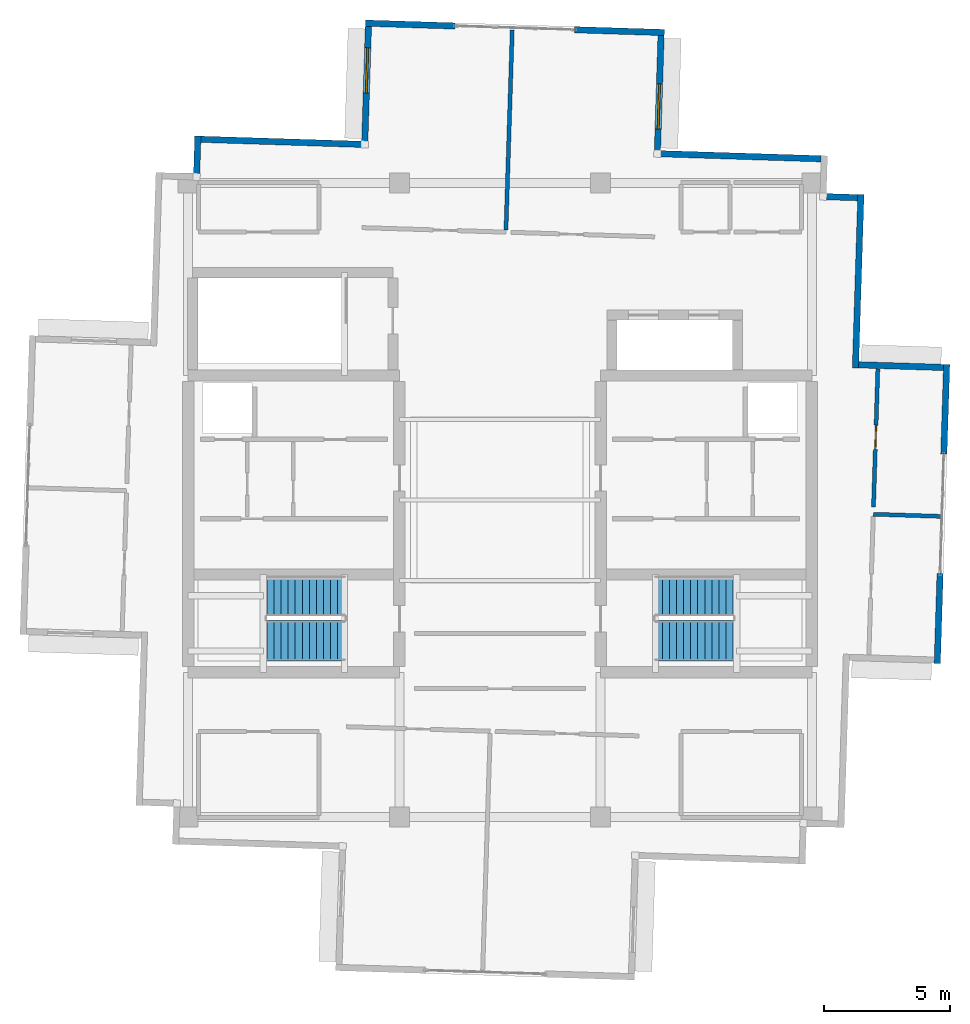
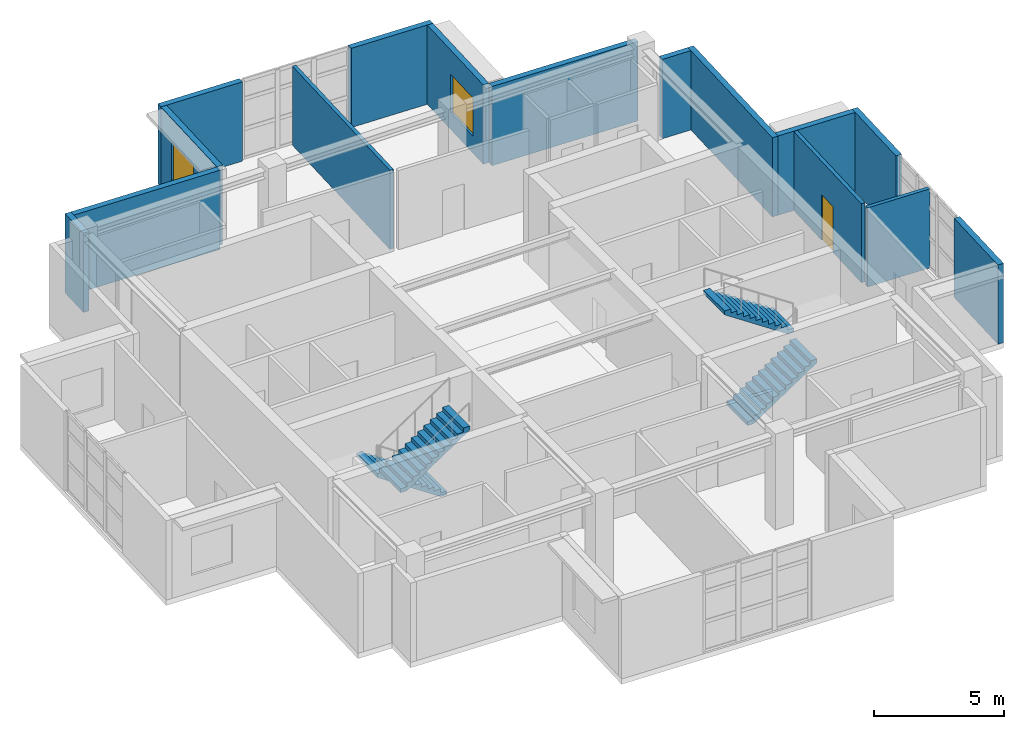
# One storey, part 12 of 14: 15 walls, 4 stair flights, 2 windows, 1 door, 3 openings, 2 elements without a shape of their own.
"""IFC4 building model written with IfcOpenShell, lengths in metres."""

from ifc_helpers import new_model, si_unit, direction, frame, frame_2d, origin, place, context, subcontext, project, spatial, polyline, rectangle, outline, extrude, material, layer, layer_set, type_object, element, fill, aggregate, save


model = new_model("IFC4")

# Units and contexts
model_context = context("Model", 3, precision=1e-05, world=origin(), true_north=direction((0.0, 1.0)))
body_context = subcontext(model_context, "Body", "Model", "MODEL_VIEW")
ifc_project = project(units=[si_unit("LENGTHUNIT", "METRE"), si_unit("AREAUNIT", "SQUARE_METRE"), si_unit("VOLUMEUNIT", "CUBIC_METRE"), si_unit("PLANEANGLEUNIT", "RADIAN"), si_unit("MASSUNIT", "GRAM", prefix="KILO")], contexts=[model_context])

# Site, building, storey
site_placement = place(None, origin())
site = spatial("IfcSite", under=ifc_project, at=site_placement, CompositionType="ELEMENT")
building_placement = place(site_placement, origin())
building = spatial("IfcBuilding", under=site, at=building_placement, Name="Qingluan Cross Belvedere", CompositionType="ELEMENT")
storey_placement = place(building_placement, frame((0.0, 0.0, 317.39990234375)))
storey = spatial("IfcBuildingStorey", under=building, at=storey_placement, Name="L78", CompositionType="ELEMENT", Elevation=317.39990234375)

# Walls
ifc_material_1 = material(Name="Gypsum plasterboard on steel stud acoustic partition", Category="steel")
ifc_layer_1 = layer(ifc_material_1, 0.159912109375, Name="CorridorPartition_160")
ifc_layer_set_1 = layer_set([ifc_layer_1], Name="Gypsum plasterboard on steel stud acoustic partition")
wall_type_1 = type_object("IfcWallType", Name="CorridorPartition_160", PredefinedType="PARTITIONING", material=ifc_layer_set_1)
wall_1_placement = place(storey_placement, frame((0.2373046875, 10.73291015625, 0.0), z_axis=(0.0, 0.0, 1.0), x_axis=(0.031407107994, 0.999506675099, 0.0)))
element("IfcWall", 1, at=wall_1_placement, inside=storey, type_object=wall_type_1, Name="Partition L78:obs_n1:E", PredefinedType="PARTITIONING", context=body_context, shape_type="SweptSolid", body=[
    extrude(rectangle(XDim=7.9599609375, YDim=0.159912109375, at=frame_2d((3.97998046875, 0.0))), origin(), (0.0, 0.0, 1.0), 3.72021484375),
])
wall_2_placement = place(storey_placement, frame((14.839599609375, -0.56640625, 0.0), z_axis=(0.0, 0.0, 1.0), x_axis=(0.999507177743, -0.031391107676, 0.0)))
element("IfcWall", 2, at=wall_2_placement, inside=storey, type_object=wall_type_1, Name="Partition L78:obs_e1:N", PredefinedType="PARTITIONING", context=body_context, shape_type="SweptSolid", body=[
    extrude(rectangle(XDim=2.72998046875, YDim=0.159912109375, at=frame_2d((1.364990234375, 0.0))), origin(), (0.0, 0.0, 1.0), 3.72021484375),
])

# Wall, opening, door
wall_3_placement = place(storey_placement, frame((14.848388671875, -0.281494140625, 0.0), z_axis=(0.0, 0.0, 1.0), x_axis=(0.031416227439, 0.999506388501, 0.0)))
wall_3 = element("IfcWall", 3, at=wall_3_placement, inside=storey, type_object=wall_type_1, Name="Partition L78:obs_e2:W", PredefinedType="PARTITIONING", context=body_context, shape_type="SweptSolid", body=[
    extrude(rectangle(XDim=5.501953125, YDim=0.159912109375, at=frame_2d((2.7509765625, 0.0))), origin(), (0.0, 0.0, 1.0), 3.72021484375),
])
opening_1_placement = place(wall_3_placement, frame((2.294921875, 0.0, 0.0)))
opening_1 = element("IfcOpeningElement", 4, at=opening_1_placement, cuts=wall_3, Name="Opening GD-10", PredefinedType="OPENING", context=body_context, shape_type="SweptSolid", body=[
    extrude(rectangle(XDim=0.9599609375, YDim=2.14990234375, at=frame_2d((0.47998046875, 1.074951171875))), frame((0.0, 0.08984375, 0.0), z_axis=(0.0, -1.0, 0.0), x_axis=(1.0, 0.0, 0.0)), (0.0, 0.0, 1.0), 0.179931640625),
])
ifc_material_2 = material(Name="Timber oak fire-rated acoustic guestroom door", Category="wood")
door_type = type_object("IfcDoorType", Name="GuestEntryDoor_FD60", OperationType="NOTDEFINED", PredefinedType="DOOR", material=ifc_material_2)
door_placement = place(opening_1_placement, origin())
door = element("IfcDoor", 5, at=door_placement, inside=storey, type_object=door_type, Name="Observation gift gallery L78 door", OperationType="SINGLE_SWING_LEFT", OverallHeight=2.14990234375, OverallWidth=0.9599609375, PredefinedType="DOOR", context=body_context, shape_type="SweptSolid", body=[
    extrude(rectangle(XDim=0.9599609375, YDim=2.14990234375, at=frame_2d((0.47998046875, 1.074951171875))), frame((0.0, 0.02490234375, 0.0), z_axis=(0.0, -1.0, 0.0), x_axis=(1.0, 0.0, 0.0)), (0.0, 0.0, 1.0), 0.050048828125),
])
fill(opening_1, door)

# Walls
ifc_material_3 = material(Name="Precast concrete C45", Category="concrete")
ifc_layer_2 = layer(ifc_material_3, 0.25, Name="PrecastCrownWall_250")
ifc_layer_set_2 = layer_set([ifc_layer_2], Name="Precast concrete C45")
wall_type_2 = type_object("IfcWallType", Name="PrecastCrownWall_250", PredefinedType="STANDARD", material=ifc_layer_set_2)
wall_4_placement = place(storey_placement, frame((17.629150390625, 5.268798828125, 0.0), z_axis=(0.0, 0.0, 1.0), x_axis=(-0.999505551692, 0.031442839188, 0.0)))
element("IfcWall", 6, at=wall_4_placement, inside=storey, type_object=wall_type_2, Name="Facade wall L78-EB", PredefinedType="STANDARD", context=body_context, shape_type="SweptSolid", body=[
    extrude(rectangle(XDim=3.369873046875, YDim=0.25, at=frame_2d((1.68505859375, 0.0))), origin(), (0.0, 0.0, 1.0), 3.72998046875),
])
wall_5_placement = place(storey_placement, frame((17.384521484375, -6.494384765625, 0.0), z_axis=(0.0, 0.0, 1.0), x_axis=(0.031414233162, 0.999506451182, 0.0)))
element("IfcWall", 7, at=wall_5_placement, inside=storey, type_object=wall_type_2, Name="Terrace portal jamb wall L78-E1", PredefinedType="STANDARD", context=body_context, shape_type="SweptSolid", body=[
    extrude(rectangle(XDim=3.567138671875, YDim=0.25, at=frame_2d((1.78369140625, 0.0))), origin(), (0.0, 0.0, 1.0), 3.72998046875),
])
wall_6_placement = place(storey_placement, frame((17.64599609375, 1.82470703125, 0.0), z_axis=(0.0, 0.0, 1.0), x_axis=(0.031416382256, 0.999506383634, 0.0)))
element("IfcWall", 8, at=wall_6_placement, inside=storey, type_object=wall_type_2, Name="Terrace portal jamb wall L78-E2", PredefinedType="STANDARD", context=body_context, shape_type="SweptSolid", body=[
    extrude(rectangle(XDim=3.56689453125, YDim=0.25, at=frame_2d((1.783447265625, 0.0))), origin(), (0.0, 0.0, 1.0), 3.72998046875),
])

# Wall, opening, window
wall_7_placement = place(storey_placement, frame((6.259521484375, 13.895263671875, 0.0), z_axis=(0.0, 0.0, 1.0), x_axis=(0.031413213541, 0.999506483228, 0.0)))
wall_7 = element("IfcWall", 9, at=wall_7_placement, inside=storey, type_object=wall_type_2, Name="Facade wall L78-NA", PredefinedType="STANDARD", context=body_context, shape_type="SweptSolid", body=[
    extrude(rectangle(XDim=4.56982421875, YDim=0.25, at=frame_2d((2.284912109375, 0.0))), origin(), (0.0, 0.0, 1.0), 3.72998046875),
])
opening_2_placement = place(wall_7_placement, frame((0.85009765625, 0.0, 0.800048828125)))
opening_2 = element("IfcOpeningElement", 10, at=opening_2_placement, cuts=wall_7, Name="Opening W-05", PredefinedType="OPENING", context=body_context, shape_type="SweptSolid", body=[
    extrude(rectangle(XDim=1.800048828125, YDim=1.800048828125, at=frame_2d((0.89990234375, 0.89990234375))), frame((0.0, 0.135009765625, 0.0), z_axis=(0.0, -1.0, 0.0), x_axis=(1.0, 0.0, 0.0)), (0.0, 0.0, 1.0), 0.27001953125),
])
ifc_material_4 = material(Name="Thermally broken triple Low-E glass in aluminium frame", Category="aluminium")
window_type = type_object("IfcWindowType", Name="CrownBelvedereWin_1800x1800", PartitioningType="SINGLE_PANEL", PredefinedType="WINDOW", material=ifc_material_4)
window_1_placement = place(opening_2_placement, origin())
window_1 = element("IfcWindow", 11, at=window_1_placement, inside=storey, type_object=window_type, Name="Ribbon window L78-NA-1", OverallHeight=1.800048828125, OverallWidth=1.800048828125, PartitioningType="SINGLE_PANEL", PredefinedType="WINDOW", context=body_context, shape_type="SweptSolid", body=[
    extrude(rectangle(XDim=1.800048828125, YDim=1.800048828125, at=frame_2d((0.89990234375, 0.89990234375))), frame((0.0, 0.030029296875, 0.0), z_axis=(0.0, -1.0, 0.0), x_axis=(1.0, 0.0, 0.0)), (0.0, 0.0, 1.0), 0.06005859375),
])
fill(opening_2, window_1)

wall_8_placement = place(storey_placement, frame((-5.231201171875, 18.82861328125, 0.0), z_axis=(0.0, 0.0, 1.0), x_axis=(-0.031413213541, -0.999506483228, 0.0)))
wall_8 = element("IfcWall", 12, at=wall_8_placement, inside=storey, type_object=wall_type_2, Name="Facade wall L78-NB", PredefinedType="STANDARD", context=body_context, shape_type="SweptSolid", body=[
    extrude(rectangle(XDim=4.56982421875, YDim=0.25, at=frame_2d((2.284912109375, 0.0))), origin(), (0.0, 0.0, 1.0), 3.72998046875),
])
opening_3_placement = place(wall_8_placement, frame((0.85009765625, 0.0, 0.800048828125)))
opening_3 = element("IfcOpeningElement", 13, at=opening_3_placement, cuts=wall_8, Name="Opening W-05", PredefinedType="OPENING", context=body_context, shape_type="SweptSolid", body=[
    extrude(rectangle(XDim=1.800048828125, YDim=1.800048828125, at=frame_2d((0.89990234375, 0.89990234375))), frame((0.0, 0.135009765625, 0.0), z_axis=(0.0, -1.0, 0.0), x_axis=(1.0, 0.0, 0.0)), (0.0, 0.0, 1.0), 0.27001953125),
])
window_2_placement = place(opening_3_placement, origin())
window_2 = element("IfcWindow", 14, at=window_2_placement, inside=storey, type_object=window_type, Name="Ribbon window L78-NB-1", OverallHeight=1.800048828125, OverallWidth=1.800048828125, PartitioningType="SINGLE_PANEL", PredefinedType="WINDOW", context=body_context, shape_type="SweptSolid", body=[
    extrude(rectangle(XDim=1.800048828125, YDim=1.800048828125, at=frame_2d((0.89990234375, 0.89990234375))), frame((0.0, 0.030029296875, 0.0), z_axis=(0.0, -1.0, 0.0), x_axis=(1.0, 0.0, 0.0)), (0.0, 0.0, 1.0), 0.06005859375),
])
fill(opening_3, window_2)

# Walls
wall_9_placement = place(storey_placement, frame((6.531982421875, 18.583984375, 0.0), z_axis=(0.0, 0.0, 1.0), x_axis=(-0.999506383634, 0.031416382256, 0.0)))
element("IfcWall", 15, at=wall_9_placement, inside=storey, type_object=wall_type_2, Name="Terrace portal jamb wall L78-N1", PredefinedType="STANDARD", context=body_context, shape_type="SweptSolid", body=[
    extrude(rectangle(XDim=3.56689453125, YDim=0.25, at=frame_2d((1.783447265625, 0.0))), origin(), (0.0, 0.0, 1.0), 3.72998046875),
])
wall_10_placement = place(storey_placement, frame((-1.786865234375, 18.845458984375, 0.0), z_axis=(0.0, 0.0, 1.0), x_axis=(-0.999506451182, 0.031414233162, 0.0)))
element("IfcWall", 16, at=wall_10_placement, inside=storey, type_object=wall_type_2, Name="Terrace portal jamb wall L78-N2", PredefinedType="STANDARD", context=body_context, shape_type="SweptSolid", body=[
    extrude(rectangle(XDim=3.567138671875, YDim=0.25, at=frame_2d((1.78369140625, 0.0))), origin(), (0.0, 0.0, 1.0), 3.72998046875),
])
wall_11_placement = place(storey_placement, frame((14.132080078125, 5.253662109375, 0.0), z_axis=(0.0, 0.0, 1.0), x_axis=(0.031394046997, 0.999507085424, 0.0)))
element("IfcWall", 17, at=wall_11_placement, inside=storey, type_object=wall_type_2, Name="Corner wall L78-NE1", PredefinedType="STANDARD", context=body_context, shape_type="SweptSolid", body=[
    extrude(rectangle(XDim=6.89013671875, YDim=0.25, at=frame_2d((3.445068359375, 0.0))), origin(), (0.0, 0.0, 1.0), 3.72998046875),
])
wall_12_placement = place(storey_placement, frame((14.219482421875, 12.019287109375, 0.0), z_axis=(0.0, 0.0, 1.0), x_axis=(-0.999505383482, 0.0314481858, 0.0)))
element("IfcWall", 18, at=wall_12_placement, inside=storey, type_object=wall_type_2, Name="Corner wall L78-NE2", PredefinedType="STANDARD", context=body_context, shape_type="SweptSolid", body=[
    extrude(rectangle(XDim=1.25, YDim=0.25, at=frame_2d((0.625, 0.0))), origin(), (0.0, 0.0, 1.0), 3.72998046875),
])
wall_13_placement = place(storey_placement, frame((12.767333984375, 13.565673828125, 0.0), z_axis=(0.0, 0.0, 1.0), x_axis=(-0.999506693648, 0.031406517667, 0.0)))
element("IfcWall", 19, at=wall_13_placement, inside=storey, type_object=wall_type_2, Name="Corner wall L78-NE4", PredefinedType="STANDARD", context=body_context, shape_type="SweptSolid", body=[
    extrude(rectangle(XDim=6.389892578125, YDim=0.25, at=frame_2d((3.19482421875, 0.0))), origin(), (0.0, 0.0, 1.0), 3.72998046875),
])
wall_14_placement = place(storey_placement, frame((-12.05859375, 12.97021484375, 0.0), z_axis=(0.0, 0.0, 1.0), x_axis=(0.031412596484, 0.999506502621, 0.0)))
element("IfcWall", 20, at=wall_14_placement, inside=storey, type_object=wall_type_2, Name="Corner wall L78-NW3", PredefinedType="STANDARD", context=body_context, shape_type="SweptSolid", body=[
    extrude(rectangle(XDim=1.5, YDim=0.25, at=frame_2d((0.75, 0.0))), origin(), (0.0, 0.0, 1.0), 3.72998046875),
])
wall_15_placement = place(storey_placement, frame((-11.890380859375, 14.340576171875, 0.0), z_axis=(0.0, 0.0, 1.0), x_axis=(0.999506693648, -0.031406517667, 0.0)))
element("IfcWall", 21, at=wall_15_placement, inside=storey, type_object=wall_type_2, Name="Corner wall L78-NW4", PredefinedType="STANDARD", context=body_context, shape_type="SweptSolid", body=[
    extrude(rectangle(XDim=6.389892578125, YDim=0.25, at=frame_2d((3.19482421875, 0.0))), origin(), (0.0, 0.0, 1.0), 3.72998046875),
])

# Stair, stair flights
ifc_material_5 = material(Name="Concrete C40", Category="concrete")
stair_type = type_object("IfcStairType", Name="CoreDoglegStair_1620", PredefinedType="HALF_TURN_STAIR", material=ifc_material_5)
stair_1_placement = place(storey_placement, origin())
stair_1 = element("IfcStair", 22, at=stair_1_placement, inside=storey, type_object=stair_type, Name="L78 ST1", PredefinedType="HALF_TURN_STAIR")
ifc_material_6 = material(Name="Concrete C40", Category="concrete")
ifc_layer_3 = layer(ifc_material_6, 0.179931640625, Name="StairFlight_RC180")
ifc_layer_set_3 = layer_set([ifc_layer_3], Name="Concrete C40")
stair_flight_type = type_object("IfcStairFlightType", Name="StairFlight_RC180", PredefinedType="STRAIGHT", material=ifc_layer_set_3)
stair_flight_1_placement = place(storey_placement, frame((-6.179931640625, -3.81005859375, 0.0), z_axis=(0.0, 0.0, 1.0), x_axis=(-1.0, 0.0, 0.0)))
stair_flight_1 = element("IfcStairFlight", 23, at=stair_flight_1_placement, type_object=stair_flight_type, Name="ST1 flight 1", NumberOfRisers=12, NumberOfTreads=11, PredefinedType="STRAIGHT", RiserHeight=0.1875, TreadLength=0.28, context=body_context, shape_type="SweptSolid", body=[
    extrude(outline(polyline([(0.0, 0.0), (0.0, 0.1875), (0.280029296875, 0.1875), (0.280029296875, 0.375), (0.56005859375, 0.375), (0.56005859375, 0.5625), (0.840087890625, 0.5625), (0.840087890625, 0.75), (1.1201171875, 0.75), (1.1201171875, 0.9375), (1.39990234375, 0.9375), (1.39990234375, 1.125), (1.679931640625, 1.125), (1.679931640625, 1.3125), (1.9599609375, 1.3125), (1.9599609375, 1.5), (2.239990234375, 1.5), (2.239990234375, 1.6875), (2.52001953125, 1.6875), (2.52001953125, 1.875), (2.800048828125, 1.875), (2.800048828125, 2.0625), (3.080078125, 2.0625), (3.080078125, 2.25), (3.080078125, 1.882080078125), (0.26953125, 0.0), (0.0, 0.0)])), frame((0.0, 0.81005859375, 0.0), z_axis=(0.0, -1.0, 0.0), x_axis=(1.0, 0.0, 0.0)), (0.0, 0.0, 1.0), 1.6201171875),
])
stair_flight_2_placement = place(storey_placement, frame((-9.260009765625, -5.590087890625, 2.25), z_axis=(0.0, 0.0, 1.0), x_axis=(1.0, 0.0, 0.0)))
stair_flight_2 = element("IfcStairFlight", 24, at=stair_flight_2_placement, type_object=stair_flight_type, Name="ST1 flight 2", NumberOfRisers=12, NumberOfTreads=11, PredefinedType="STRAIGHT", RiserHeight=0.1875, TreadLength=0.28, context=body_context, shape_type="SweptSolid", body=[
    extrude(outline(polyline([(0.0, 0.0), (0.0, 0.1875), (0.280029296875, 0.1875), (0.280029296875, 0.375), (0.56005859375, 0.375), (0.56005859375, 0.5625), (0.840087890625, 0.5625), (0.840087890625, 0.75), (1.1201171875, 0.75), (1.1201171875, 0.9375), (1.39990234375, 0.9375), (1.39990234375, 1.125), (1.679931640625, 1.125), (1.679931640625, 1.3125), (1.9599609375, 1.3125), (1.9599609375, 1.5), (2.239990234375, 1.5), (2.239990234375, 1.6875), (2.52001953125, 1.6875), (2.52001953125, 1.875), (2.800048828125, 1.875), (2.800048828125, 2.0625), (3.080078125, 2.0625), (3.080078125, 2.25), (3.080078125, 1.882080078125), (0.26953125, 0.0), (0.0, 0.0)])), frame((0.0, 0.81005859375, 0.0), z_axis=(0.0, -1.0, 0.0), x_axis=(1.0, 0.0, 0.0)), (0.0, 0.0, 1.0), 1.6201171875),
])
aggregate(stair_1, [stair_flight_1, stair_flight_2])

stair_2_placement = place(storey_placement, origin())
stair_2 = element("IfcStair", 25, at=stair_2_placement, inside=storey, type_object=stair_type, Name="L78 ST2", PredefinedType="HALF_TURN_STAIR")
stair_flight_3_placement = place(storey_placement, frame((6.179931640625, -5.590087890625, 0.0), z_axis=(0.0, 0.0, 1.0), x_axis=(1.0, 0.0, 0.0)))
stair_flight_3 = element("IfcStairFlight", 26, at=stair_flight_3_placement, type_object=stair_flight_type, Name="ST2 flight 1", NumberOfRisers=12, NumberOfTreads=11, PredefinedType="STRAIGHT", RiserHeight=0.1875, TreadLength=0.28, context=body_context, shape_type="SweptSolid", body=[
    extrude(outline(polyline([(0.0, 0.0), (0.0, 0.1875), (0.280029296875, 0.1875), (0.280029296875, 0.375), (0.56005859375, 0.375), (0.56005859375, 0.5625), (0.840087890625, 0.5625), (0.840087890625, 0.75), (1.1201171875, 0.75), (1.1201171875, 0.9375), (1.39990234375, 0.9375), (1.39990234375, 1.125), (1.679931640625, 1.125), (1.679931640625, 1.3125), (1.9599609375, 1.3125), (1.9599609375, 1.5), (2.239990234375, 1.5), (2.239990234375, 1.6875), (2.52001953125, 1.6875), (2.52001953125, 1.875), (2.800048828125, 1.875), (2.800048828125, 2.0625), (3.080078125, 2.0625), (3.080078125, 2.25), (3.080078125, 1.882080078125), (0.26953125, 0.0), (0.0, 0.0)])), frame((0.0, 0.81005859375, 0.0), z_axis=(0.0, -1.0, 0.0), x_axis=(1.0, 0.0, 0.0)), (0.0, 0.0, 1.0), 1.6201171875),
])
stair_flight_4_placement = place(storey_placement, frame((9.260009765625, -3.81005859375, 2.25), z_axis=(0.0, 0.0, 1.0), x_axis=(-1.0, 0.0, 0.0)))
stair_flight_4 = element("IfcStairFlight", 27, at=stair_flight_4_placement, type_object=stair_flight_type, Name="ST2 flight 2", NumberOfRisers=12, NumberOfTreads=11, PredefinedType="STRAIGHT", RiserHeight=0.1875, TreadLength=0.28, context=body_context, shape_type="SweptSolid", body=[
    extrude(outline(polyline([(0.0, 0.0), (0.0, 0.1875), (0.280029296875, 0.1875), (0.280029296875, 0.375), (0.56005859375, 0.375), (0.56005859375, 0.5625), (0.840087890625, 0.5625), (0.840087890625, 0.75), (1.1201171875, 0.75), (1.1201171875, 0.9375), (1.39990234375, 0.9375), (1.39990234375, 1.125), (1.679931640625, 1.125), (1.679931640625, 1.3125), (1.9599609375, 1.3125), (1.9599609375, 1.5), (2.239990234375, 1.5), (2.239990234375, 1.6875), (2.52001953125, 1.6875), (2.52001953125, 1.875), (2.800048828125, 1.875), (2.800048828125, 2.0625), (3.080078125, 2.0625), (3.080078125, 2.25), (3.080078125, 1.882080078125), (0.26953125, 0.0), (0.0, 0.0)])), frame((0.0, 0.81005859375, 0.0), z_axis=(0.0, -1.0, 0.0), x_axis=(1.0, 0.0, 0.0)), (0.0, 0.0, 1.0), 1.6201171875),
])
aggregate(stair_2, [stair_flight_3, stair_flight_4])

save(model, "model.ifc")
